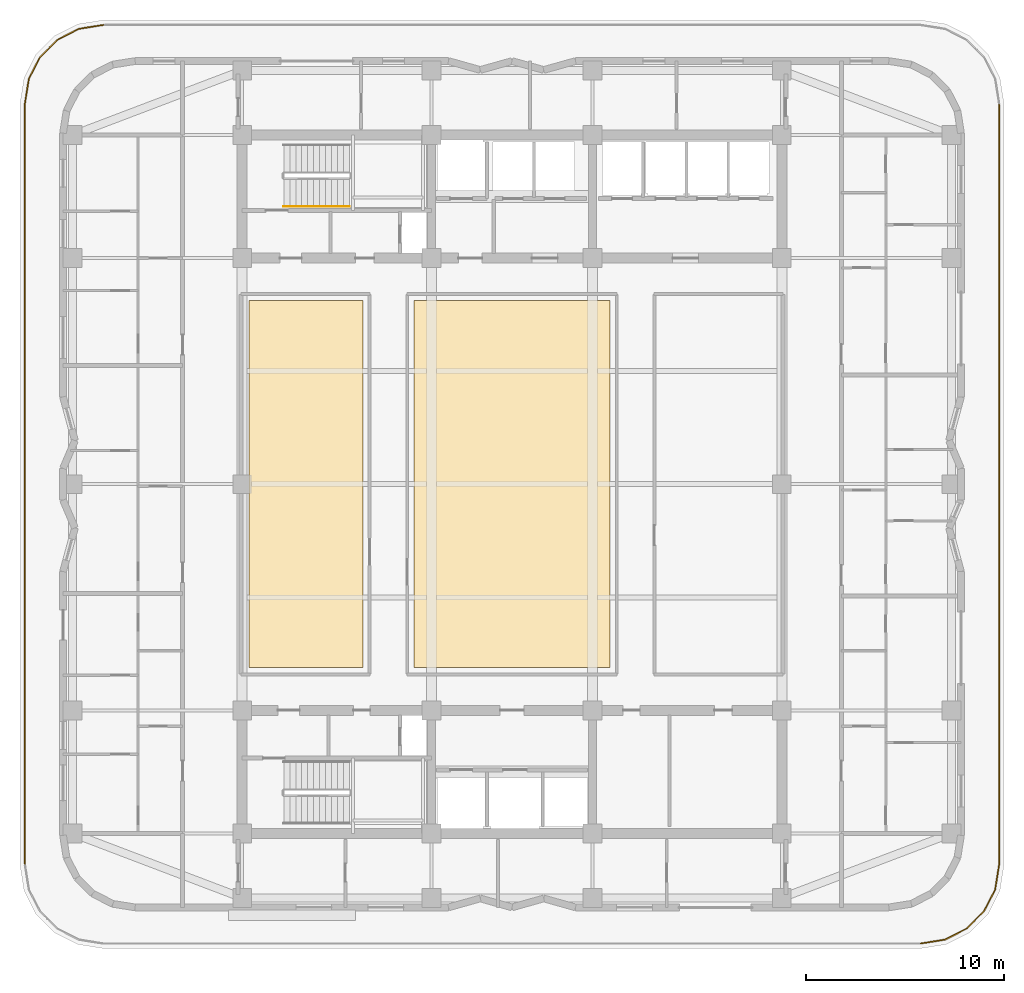
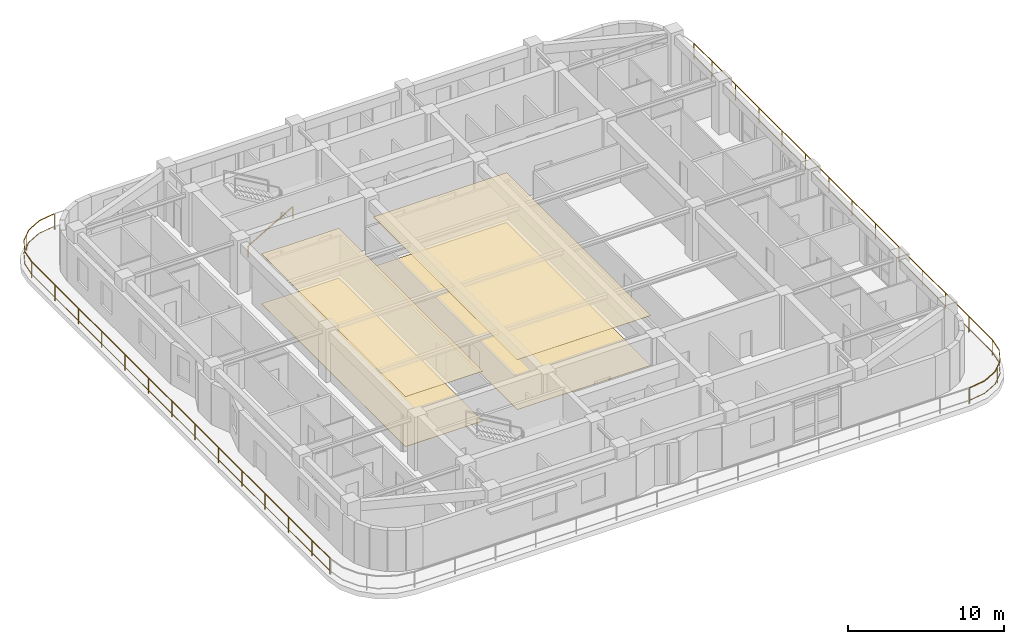
# One storey, part 13 of 14: 4 coverings, 3 railings.
"""IFC4 building model written with IfcOpenShell, lengths in metres."""

from ifc_helpers import new_model, si_unit, direction, frame, origin, origin_2d, place, context, subcontext, project, spatial, polyline, rectangle, outline, extrude, material, layer, layer_set, type_object, element, save


model = new_model("IFC4")

# Units and contexts
model_context = context("Model", 3, precision=1e-05, world=origin(), true_north=direction((0.0, 1.0)))
body_context = subcontext(model_context, "Body", "Model", "MODEL_VIEW")
ifc_project = project(units=[si_unit("LENGTHUNIT", "METRE"), si_unit("AREAUNIT", "SQUARE_METRE"), si_unit("VOLUMEUNIT", "CUBIC_METRE"), si_unit("PLANEANGLEUNIT", "RADIAN"), si_unit("MASSUNIT", "GRAM", prefix="KILO")], contexts=[model_context])

# Site, building, storey
site_placement = place(None, origin())
site = spatial("IfcSite", under=ifc_project, at=site_placement, CompositionType="ELEMENT")
building_placement = place(site_placement, origin())
building = spatial("IfcBuilding", under=site, at=building_placement, Name="Svetorya Sky Lyceum", CompositionType="ELEMENT")
storey_placement = place(building_placement, frame((0.0, 0.0, 143.60009765625)))
storey = spatial("IfcBuildingStorey", under=building, at=storey_placement, Name="L35", CompositionType="ELEMENT", Elevation=143.60009765625)

# Coverings
ifc_material_1 = material(Name="Perforated acoustic gypsum ceiling board")
ifc_layer_1 = layer(ifc_material_1, 0.01806640625)
ifc_layer_set_1 = layer_set([ifc_layer_1], Name="Perforated acoustic gypsum ceiling board")
covering_type_1 = type_object("IfcCoveringType", Name="COV-CLG-GYP", PredefinedType="CEILING", material=ifc_layer_set_1)
covering_1_placement = place(storey_placement, frame((0.0, 0.0, 3.921875)))
element("IfcCovering", 1, at=covering_1_placement, inside=storey, type_object=covering_type_1, Name="Sky Lobby L35 West Lounge Acoustic Ceiling", PredefinedType="CEILING", context=body_context, shape_type="SweptSolid", body=[
    extrude(outline(polyline([(25.949951171875, 18.949951171875), (31.699951171875, 18.949951171875), (31.699951171875, 37.449951171875), (25.949951171875, 37.449951171875), (25.949951171875, 18.949951171875)])), origin(), (0.0, 0.0, 1.0), 0.01806640625),
])
covering_2_placement = place(storey_placement, frame((0.0, 0.0, 3.921875)))
element("IfcCovering", 2, at=covering_2_placement, inside=storey, type_object=covering_type_1, Name="Sky Lobby L35 Mid-Rise Hall Acoustic Ceiling", PredefinedType="CEILING", context=body_context, shape_type="SweptSolid", body=[
    extrude(outline(polyline([(34.25, 18.949951171875), (44.14990234375, 18.949951171875), (44.14990234375, 37.449951171875), (34.25, 37.449951171875), (34.25, 18.949951171875)])), origin(), (0.0, 0.0, 1.0), 0.01806640625),
])
ifc_material_2 = material(Name="Honed Karelian granite terrazzo flooring", Category="masonry")
ifc_layer_2 = layer(ifc_material_2, 0.030029296875)
ifc_layer_set_2 = layer_set([ifc_layer_2], Name="Honed Karelian granite terrazzo flooring")
covering_type_2 = type_object("IfcCoveringType", Name="COV-FLR-TER", PredefinedType="FLOORING", material=ifc_layer_set_2)
covering_3_placement = place(storey_placement, origin())
element("IfcCovering", 3, at=covering_3_placement, inside=storey, type_object=covering_type_2, Name="Sky Lobby L35 West Lounge Architectural Flooring", PredefinedType="FLOORING", context=body_context, shape_type="SweptSolid", body=[
    extrude(outline(polyline([(25.949951171875, 18.949951171875), (31.699951171875, 18.949951171875), (31.699951171875, 37.449951171875), (25.949951171875, 37.449951171875), (25.949951171875, 18.949951171875)])), origin(), (0.0, 0.0, 1.0), 0.02978515625),
])
covering_4_placement = place(storey_placement, origin())
element("IfcCovering", 4, at=covering_4_placement, inside=storey, type_object=covering_type_2, Name="Sky Lobby L35 Mid-Rise Hall Architectural Flooring", PredefinedType="FLOORING", context=body_context, shape_type="SweptSolid", body=[
    extrude(outline(polyline([(34.25, 18.949951171875), (44.14990234375, 18.949951171875), (44.14990234375, 37.449951171875), (34.25, 37.449951171875), (34.25, 18.949951171875)])), origin(), (0.0, 0.0, 1.0), 0.02978515625),
])

# Railings
ifc_material_3 = material(Name="Brushed stainless AISI 304 stair handrail")
railing_type_1 = type_object("IfcRailingType", Name="RL-STR-HAND-920", PredefinedType="HANDRAIL", material=ifc_material_3)
railing_1_placement = place(storey_placement, frame((27.699951171875, 42.199951171875, 0.1748046875)))
element("IfcRailing", 5, at=railing_1_placement, inside=storey, type_object=railing_type_1, Name="L35 ST-N stair handrail 1", PredefinedType="HANDRAIL", context=body_context, shape_type="SweptSolid", body=[
    extrude(rectangle(XDim=0.048095703125, YDim=0.048095703125, at=origin_2d()), frame((0.0, 0.0, 0.8759765625), z_axis=(0.863776583165, 0.0, 0.503874998761), x_axis=(0.0, 1.0, 0.0)), (0.0, 0.0, 1.0), 3.820556640625),
    extrude(rectangle(XDim=0.0419921875, YDim=0.0419921875, at=origin_2d()), origin(), (0.0, 0.0, 1.0), 0.851806640625),
    extrude(rectangle(XDim=0.0419921875, YDim=0.0419921875, at=origin_2d()), frame((3.300048828125, 0.0, 1.925048828125)), (0.0, 0.0, 1.0), 0.851806640625),
])
ifc_material_4 = material(Name="Bronze-anodized aluminium terrace guard", Category="aluminium")
railing_type_2 = type_object("IfcRailingType", Name="RL-TER-1250", PredefinedType="GUARDRAIL", material=ifc_material_4)
railing_2_placement = place(storey_placement, frame((59.800048828125, 5.050048828125, 0.0)))
element("IfcRailing", 6, at=railing_2_placement, inside=storey, type_object=railing_type_2, Name="L35 Setback Terrace Guard Quadrant 2", PredefinedType="GUARDRAIL", context=body_context, shape_type="SweptSolid", body=[
    extrude(rectangle(XDim=0.048095703125, YDim=0.048095703125, at=origin_2d()), frame((0.0, 0.0, 1.22607421875), z_axis=(0.987681129562, 0.15647998692, 0.0), x_axis=(-0.15647998692, 0.987681129562, 0.0)), (0.0, 0.0, 1.0), 1.235595703125),
    extrude(rectangle(XDim=0.02392578125, YDim=0.02392578125, at=origin_2d()), frame((0.0, 0.0, 0.25), z_axis=(0.987681129562, 0.15647998692, 0.0), x_axis=(-0.15647998692, 0.987681129562, 0.0)), (0.0, 0.0, 1.0), 1.235595703125),
    extrude(rectangle(XDim=0.048095703125, YDim=0.048095703125, at=origin_2d()), frame((1.220458984375, 0.193359375, 1.22607421875), z_axis=(0.891044019054, 0.453916904408, 0.0), x_axis=(-0.453916904408, 0.891044019054, 0.0)), (0.0, 0.0, 1.0), 1.236083984375),
    extrude(rectangle(XDim=0.02392578125, YDim=0.02392578125, at=origin_2d()), frame((1.220458984375, 0.193359375, 0.25), z_axis=(0.891044019054, 0.453916904408, 0.0), x_axis=(-0.453916904408, 0.891044019054, 0.0)), (0.0, 0.0, 1.0), 1.236083984375),
    extrude(rectangle(XDim=0.048095703125, YDim=0.048095703125, at=origin_2d()), frame((2.32177734375, 0.75439453125, 1.22607421875), z_axis=(0.707106781187, 0.707106781187, 0.0), x_axis=(-0.707106781187, 0.707106781187, 0.0)), (0.0, 0.0, 1.0), 1.235595703125),
    extrude(rectangle(XDim=0.02392578125, YDim=0.02392578125, at=origin_2d()), frame((2.32177734375, 0.75439453125, 0.25), z_axis=(0.707106781187, 0.707106781187, 0.0), x_axis=(-0.707106781187, 0.707106781187, 0.0)), (0.0, 0.0, 1.0), 1.235595703125),
    extrude(rectangle(XDim=0.048095703125, YDim=0.048095703125, at=origin_2d()), frame((3.195556640625, 1.628173828125, 1.22607421875), z_axis=(0.453996808381, 0.891003309747, 0.0), x_axis=(-0.891003309747, 0.453996808381, 0.0)), (0.0, 0.0, 1.0), 1.23583984375),
    extrude(rectangle(XDim=0.02392578125, YDim=0.02392578125, at=origin_2d()), frame((3.195556640625, 1.628173828125, 0.25), z_axis=(0.453996808381, 0.891003309747, 0.0), x_axis=(-0.891003309747, 0.453996808381, 0.0)), (0.0, 0.0, 1.0), 1.23583984375),
    extrude(rectangle(XDim=0.048095703125, YDim=0.048095703125, at=origin_2d()), frame((3.756591796875, 2.729248046875, 1.22607421875), z_axis=(0.156449457012, 0.987685965983, 0.0), x_axis=(-0.987685965983, 0.156449457012, 0.0)), (0.0, 0.0, 1.0), 1.23583984375),
    extrude(rectangle(XDim=0.02392578125, YDim=0.02392578125, at=origin_2d()), frame((3.756591796875, 2.729248046875, 0.25), z_axis=(0.156449457012, 0.987685965983, 0.0), x_axis=(-0.987685965983, 0.156449457012, 0.0)), (0.0, 0.0, 1.0), 1.23583984375),
    extrude(rectangle(XDim=0.048095703125, YDim=0.048095703125, at=origin_2d()), frame((3.949951171875, 3.949951171875, 1.22607421875), z_axis=(0.0, 1.0, 0.0), x_axis=(-1.0, 0.0, 0.0)), (0.0, 0.0, 1.0), 38.340087890625),
    extrude(rectangle(XDim=0.02392578125, YDim=0.02392578125, at=origin_2d()), frame((3.949951171875, 3.949951171875, 0.25), z_axis=(0.0, 1.0, 0.0), x_axis=(-1.0, 0.0, 0.0)), (0.0, 0.0, 1.0), 38.340087890625),
    extrude(rectangle(XDim=0.0419921875, YDim=0.0419921875, at=origin_2d()), origin(), (0.0, 0.0, 1.0), 1.201904296875),
    extrude(rectangle(XDim=0.0419921875, YDim=0.0419921875, at=origin_2d()), frame((2.6953125, 1.1279296875, 0.0)), (0.0, 0.0, 1.0), 1.201904296875),
    extrude(rectangle(XDim=0.0419921875, YDim=0.0419921875, at=origin_2d()), frame((3.949951171875, 3.949951171875, 0.0)), (0.0, 0.0, 1.0), 1.201904296875),
    extrude(rectangle(XDim=0.0419921875, YDim=0.0419921875, at=origin_2d()), frame((3.949951171875, 6.949951171875, 0.0)), (0.0, 0.0, 1.0), 1.201904296875),
    extrude(rectangle(XDim=0.0419921875, YDim=0.0419921875, at=origin_2d()), frame((3.949951171875, 9.949951171875, 0.0)), (0.0, 0.0, 1.0), 1.201904296875),
    extrude(rectangle(XDim=0.0419921875, YDim=0.0419921875, at=origin_2d()), frame((3.949951171875, 12.949951171875, 0.0)), (0.0, 0.0, 1.0), 1.201904296875),
    extrude(rectangle(XDim=0.0419921875, YDim=0.0419921875, at=origin_2d()), frame((3.949951171875, 15.949951171875, 0.0)), (0.0, 0.0, 1.0), 1.201904296875),
    extrude(rectangle(XDim=0.0419921875, YDim=0.0419921875, at=origin_2d()), frame((3.949951171875, 18.949951171875, 0.0)), (0.0, 0.0, 1.0), 1.201904296875),
    extrude(rectangle(XDim=0.0419921875, YDim=0.0419921875, at=origin_2d()), frame((3.949951171875, 21.949951171875, 0.0)), (0.0, 0.0, 1.0), 1.201904296875),
    extrude(rectangle(XDim=0.0419921875, YDim=0.0419921875, at=origin_2d()), frame((3.949951171875, 24.949951171875, 0.0)), (0.0, 0.0, 1.0), 1.201904296875),
    extrude(rectangle(XDim=0.0419921875, YDim=0.0419921875, at=origin_2d()), frame((3.949951171875, 27.949951171875, 0.0)), (0.0, 0.0, 1.0), 1.201904296875),
    extrude(rectangle(XDim=0.0419921875, YDim=0.0419921875, at=origin_2d()), frame((3.949951171875, 30.949951171875, 0.0)), (0.0, 0.0, 1.0), 1.201904296875),
    extrude(rectangle(XDim=0.0419921875, YDim=0.0419921875, at=origin_2d()), frame((3.949951171875, 33.949951171875, 0.0)), (0.0, 0.0, 1.0), 1.201904296875),
    extrude(rectangle(XDim=0.0419921875, YDim=0.0419921875, at=origin_2d()), frame((3.949951171875, 36.949951171875, 0.0)), (0.0, 0.0, 1.0), 1.201904296875),
    extrude(rectangle(XDim=0.0419921875, YDim=0.0419921875, at=origin_2d()), frame((3.949951171875, 39.949951171875, 0.0)), (0.0, 0.0, 1.0), 1.201904296875),
    extrude(rectangle(XDim=0.0419921875, YDim=0.0419921875, at=origin_2d()), frame((3.949951171875, 42.2900390625, 0.0)), (0.0, 0.0, 1.0), 1.201904296875),
])
railing_3_placement = place(storey_placement, frame((18.60009765625, 51.35009765625, 0.0)))
element("IfcRailing", 7, at=railing_3_placement, inside=storey, type_object=railing_type_2, Name="L35 Setback Terrace Guard Quadrant 4", PredefinedType="GUARDRAIL", context=body_context, shape_type="SweptSolid", body=[
    extrude(rectangle(XDim=0.048095703125, YDim=0.048095703125, at=origin_2d()), frame((0.0, 0.0, 1.22607421875), z_axis=(-0.987685965983, -0.156449457012, 0.0), x_axis=(0.156449457012, -0.987685965983, 0.0)), (0.0, 0.0, 1.0), 1.23583984375),
    extrude(rectangle(XDim=0.02392578125, YDim=0.02392578125, at=origin_2d()), frame((0.0, 0.0, 0.25), z_axis=(-0.987685965983, -0.156449457012, 0.0), x_axis=(0.156449457012, -0.987685965983, 0.0)), (0.0, 0.0, 1.0), 1.23583984375),
    extrude(rectangle(XDim=0.048095703125, YDim=0.048095703125, at=origin_2d()), frame((-1.220703125, -0.193359375, 1.22607421875), z_axis=(-0.891003309747, -0.453996808381, 0.0), x_axis=(0.453996808381, -0.891003309747, 0.0)), (0.0, 0.0, 1.0), 1.23583984375),
    extrude(rectangle(XDim=0.02392578125, YDim=0.02392578125, at=origin_2d()), frame((-1.220703125, -0.193359375, 0.25), z_axis=(-0.891003309747, -0.453996808381, 0.0), x_axis=(0.453996808381, -0.891003309747, 0.0)), (0.0, 0.0, 1.0), 1.23583984375),
    extrude(rectangle(XDim=0.048095703125, YDim=0.048095703125, at=origin_2d()), frame((-2.32177734375, -0.75439453125, 1.22607421875), z_axis=(-0.707106781187, -0.707106781187, 0.0), x_axis=(0.707106781187, -0.707106781187, 0.0)), (0.0, 0.0, 1.0), 1.236083984375),
    extrude(rectangle(XDim=0.02392578125, YDim=0.02392578125, at=origin_2d()), frame((-2.32177734375, -0.75439453125, 0.25), z_axis=(-0.707106781187, -0.707106781187, 0.0), x_axis=(0.707106781187, -0.707106781187, 0.0)), (0.0, 0.0, 1.0), 1.236083984375),
    extrude(rectangle(XDim=0.048095703125, YDim=0.048095703125, at=origin_2d()), frame((-3.19580078125, -1.62841796875, 1.22607421875), z_axis=(-0.453996808381, -0.891003309747, 0.0), x_axis=(0.891003309747, -0.453996808381, 0.0)), (0.0, 0.0, 1.0), 1.23583984375),
    extrude(rectangle(XDim=0.02392578125, YDim=0.02392578125, at=origin_2d()), frame((-3.19580078125, -1.62841796875, 0.25), z_axis=(-0.453996808381, -0.891003309747, 0.0), x_axis=(0.891003309747, -0.453996808381, 0.0)), (0.0, 0.0, 1.0), 1.23583984375),
    extrude(rectangle(XDim=0.048095703125, YDim=0.048095703125, at=origin_2d()), frame((-3.7568359375, -2.7294921875, 1.22607421875), z_axis=(-0.156449457012, -0.987685965983, 0.0), x_axis=(0.987685965983, -0.156449457012, 0.0)), (0.0, 0.0, 1.0), 1.23583984375),
    extrude(rectangle(XDim=0.02392578125, YDim=0.02392578125, at=origin_2d()), frame((-3.7568359375, -2.7294921875, 0.25), z_axis=(-0.156449457012, -0.987685965983, 0.0), x_axis=(0.987685965983, -0.156449457012, 0.0)), (0.0, 0.0, 1.0), 1.23583984375),
    extrude(rectangle(XDim=0.048095703125, YDim=0.048095703125, at=origin_2d()), frame((-3.9501953125, -3.9501953125, 1.22607421875), z_axis=(0.0, -1.0, 0.0), x_axis=(1.0, 0.0, 0.0)), (0.0, 0.0, 1.0), 38.33984375),
    extrude(rectangle(XDim=0.02392578125, YDim=0.02392578125, at=origin_2d()), frame((-3.9501953125, -3.9501953125, 0.25), z_axis=(0.0, -1.0, 0.0), x_axis=(1.0, 0.0, 0.0)), (0.0, 0.0, 1.0), 38.33984375),
    extrude(rectangle(XDim=0.0419921875, YDim=0.0419921875, at=origin_2d()), origin(), (0.0, 0.0, 1.0), 1.201904296875),
    extrude(rectangle(XDim=0.0419921875, YDim=0.0419921875, at=origin_2d()), frame((-2.6953125, -1.1279296875, 0.0)), (0.0, 0.0, 1.0), 1.201904296875),
    extrude(rectangle(XDim=0.0419921875, YDim=0.0419921875, at=origin_2d()), frame((-3.9501953125, -3.9501953125, 0.0)), (0.0, 0.0, 1.0), 1.201904296875),
    extrude(rectangle(XDim=0.0419921875, YDim=0.0419921875, at=origin_2d()), frame((-3.9501953125, -6.9501953125, 0.0)), (0.0, 0.0, 1.0), 1.201904296875),
    extrude(rectangle(XDim=0.0419921875, YDim=0.0419921875, at=origin_2d()), frame((-3.9501953125, -9.9501953125, 0.0)), (0.0, 0.0, 1.0), 1.201904296875),
    extrude(rectangle(XDim=0.0419921875, YDim=0.0419921875, at=origin_2d()), frame((-3.9501953125, -12.9501953125, 0.0)), (0.0, 0.0, 1.0), 1.201904296875),
    extrude(rectangle(XDim=0.0419921875, YDim=0.0419921875, at=origin_2d()), frame((-3.9501953125, -15.9501953125, 0.0)), (0.0, 0.0, 1.0), 1.201904296875),
    extrude(rectangle(XDim=0.0419921875, YDim=0.0419921875, at=origin_2d()), frame((-3.9501953125, -18.9501953125, 0.0)), (0.0, 0.0, 1.0), 1.201904296875),
    extrude(rectangle(XDim=0.0419921875, YDim=0.0419921875, at=origin_2d()), frame((-3.9501953125, -21.9501953125, 0.0)), (0.0, 0.0, 1.0), 1.201904296875),
    extrude(rectangle(XDim=0.0419921875, YDim=0.0419921875, at=origin_2d()), frame((-3.9501953125, -24.9501953125, 0.0)), (0.0, 0.0, 1.0), 1.201904296875),
    extrude(rectangle(XDim=0.0419921875, YDim=0.0419921875, at=origin_2d()), frame((-3.9501953125, -27.9501953125, 0.0)), (0.0, 0.0, 1.0), 1.201904296875),
    extrude(rectangle(XDim=0.0419921875, YDim=0.0419921875, at=origin_2d()), frame((-3.9501953125, -30.9501953125, 0.0)), (0.0, 0.0, 1.0), 1.201904296875),
    extrude(rectangle(XDim=0.0419921875, YDim=0.0419921875, at=origin_2d()), frame((-3.9501953125, -33.9501953125, 0.0)), (0.0, 0.0, 1.0), 1.201904296875),
    extrude(rectangle(XDim=0.0419921875, YDim=0.0419921875, at=origin_2d()), frame((-3.9501953125, -36.9501953125, 0.0)), (0.0, 0.0, 1.0), 1.201904296875),
    extrude(rectangle(XDim=0.0419921875, YDim=0.0419921875, at=origin_2d()), frame((-3.9501953125, -39.9501953125, 0.0)), (0.0, 0.0, 1.0), 1.201904296875),
    extrude(rectangle(XDim=0.0419921875, YDim=0.0419921875, at=origin_2d()), frame((-3.9501953125, -42.2900390625, 0.0)), (0.0, 0.0, 1.0), 1.201904296875),
])

save(model, "model.ifc")
